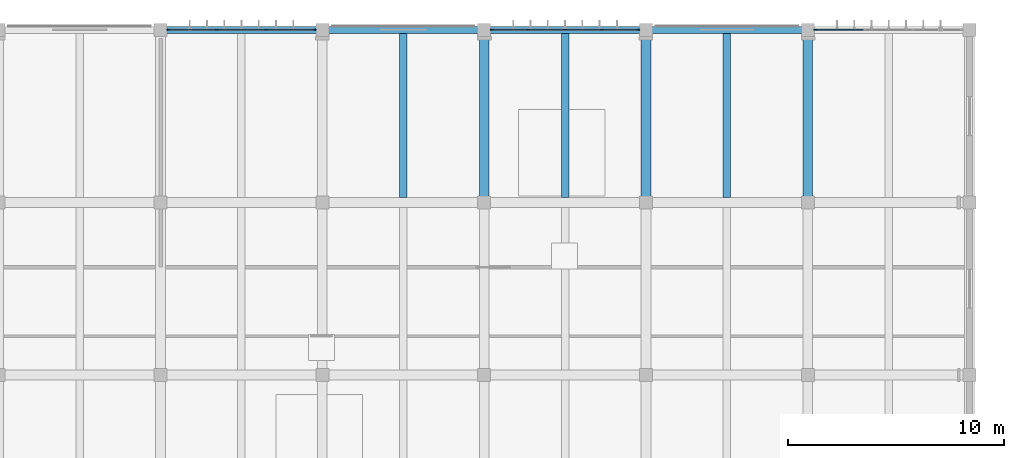
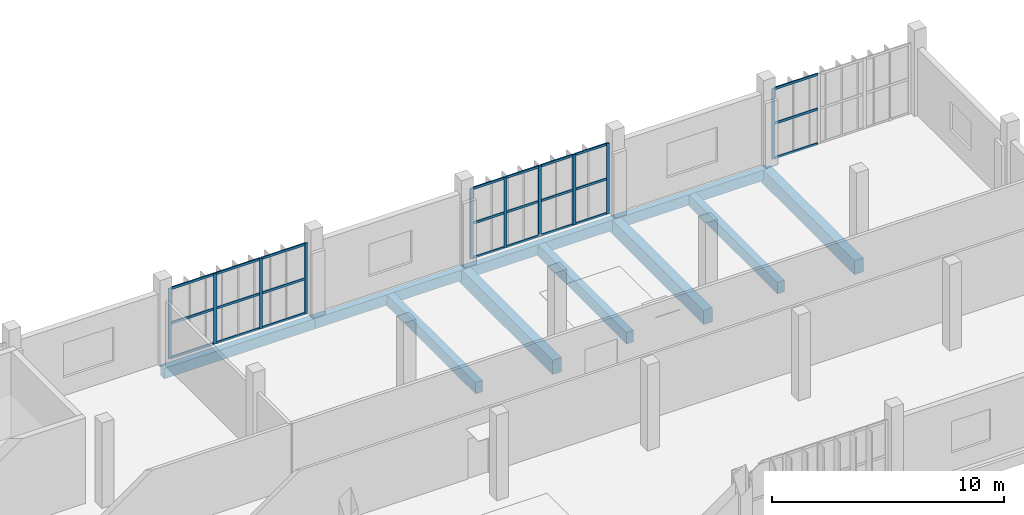
# One storey, part 26 of 81: 34 members, 10 beams, 3 elements without a shape of their own.
"""IFC4 building model written with IfcOpenShell, lengths in metres."""

from ifc_helpers import new_model, si_unit, direction, frame, origin, origin_2d, place, context, subcontext, project, spatial, rectangle, extrude, material, material_profile, profile_set, type_object, element, aggregate, save


model = new_model("IFC4")

# Units and contexts
model_context = context("Model", 3, precision=1e-05, world=origin(), true_north=direction((0.0, 1.0)))
body_context = subcontext(model_context, "Body", "Model", "MODEL_VIEW")
ifc_project = project(units=[si_unit("LENGTHUNIT", "METRE"), si_unit("AREAUNIT", "SQUARE_METRE"), si_unit("VOLUMEUNIT", "CUBIC_METRE"), si_unit("PLANEANGLEUNIT", "RADIAN"), si_unit("MASSUNIT", "GRAM", prefix="KILO")], contexts=[model_context])

# Site, building, storey
site_placement = place(None, origin())
site = spatial("IfcSite", under=ifc_project, at=site_placement, CompositionType="ELEMENT")
building_placement = place(site_placement, origin())
building = spatial("IfcBuilding", under=site, at=building_placement, Name="Vourika Railside Aquatics Centre", CompositionType="ELEMENT")
storey_placement = place(building_placement, frame((0.0, 0.0, 4.800048828125)))
storey = spatial("IfcBuildingStorey", under=building, at=storey_placement, Name="L01", CompositionType="ELEMENT", Elevation=4.800048828125)

# Beams
ifc_material_1 = material(Name="Concrete C35/45", Category="concrete")
ifc_material_profile_1 = material_profile(ifc_material_1, rectangle(XDim=0.449951171875, YDim=0.75, at=origin_2d()), Name="RC 450x750")
ifc_profile_set_1 = profile_set([ifc_material_profile_1], Name="Concrete C35/45")
beam_type_1 = type_object("IfcBeamType", Name="BM-GIRD-450x750", PredefinedType="BEAM", material=ifc_profile_set_1)
for number, where, z_axis, x_axis, name in (
    (1, (111.0, 108.0, -0.675048828125), (0.0, 1.0, 0.0), (-1.0, 0.0, 0.0), "Floor Girder GY-L01-252"),
    (2, (118.5, 108.0, -0.675048828125), (0.0, 1.0, 0.0), (-1.0, 0.0, 0.0), "Floor Girder GY-L01-257"),
    (3, (126.0, 108.0, -0.675048828125), (0.0, 1.0, 0.0), (-1.0, 0.0, 0.0), "Floor Girder GY-L01-263"),
):
    element("IfcBeam", number, at=place(storey_placement, frame(where, z_axis=z_axis, x_axis=x_axis)), inside=storey, type_object=beam_type_1, Name=name, PredefinedType="BEAM", context=body_context, shape_type="SweptSolid", body=[
        extrude(rectangle(XDim=0.449951171875, YDim=0.75, at=origin_2d()), origin(), (0.0, 0.0, 1.0), 8.0),
    ])
ifc_material_profile_2 = material_profile(ifc_material_1, rectangle(XDim=0.35009765625, YDim=0.60009765625, at=origin_2d()), Name="RC 350x600")
ifc_profile_set_2 = profile_set([ifc_material_profile_2], Name="Concrete C35/45")
beam_type_2 = type_object("IfcBeamType", Name="BM-SEC-350x600", PredefinedType="JOIST", material=ifc_profile_set_2)
for number, where, z_axis, x_axis, name in (
    (4, (107.25, 108.22509765625, -0.60009765625), (0.0, 1.0, 0.0), (-1.0, 0.0, 0.0), "Secondary Joist JY-L01-386"),
    (5, (114.75, 108.22509765625, -0.60009765625), (0.0, 1.0, 0.0), (-1.0, 0.0, 0.0), "Secondary Joist JY-L01-387"),
    (6, (122.25, 108.22509765625, -0.60009765625), (0.0, 1.0, 0.0), (-1.0, 0.0, 0.0), "Secondary Joist JY-L01-388"),
):
    element("IfcBeam", number, at=place(storey_placement, frame(where, z_axis=z_axis, x_axis=x_axis)), inside=storey, type_object=beam_type_2, Name=name, PredefinedType="JOIST", context=body_context, shape_type="SweptSolid", body=[
        extrude(rectangle(XDim=0.35009765625, YDim=0.60009765625, at=origin_2d()), origin(), (0.0, 0.0, 1.0), 7.614990234375),
    ])
ifc_material_profile_3 = material_profile(ifc_material_1, rectangle(XDim=0.320068359375, YDim=0.550048828125, at=origin_2d()), Name="RC 320x550")
ifc_profile_set_3 = profile_set([ifc_material_profile_3], Name="Concrete C35/45")
beam_type_3 = type_object("IfcBeamType", Name="BM-SPAN-320x550", PredefinedType="SPANDREL", material=ifc_profile_set_3)
for number, where, z_axis, x_axis, name in (
    (7, (96.0, 116.0, -0.574951171875), (1.0, 0.0, 0.0), (0.0, 1.0, 0.0), "Floor Beam GX-L01-164"),
    (8, (103.5, 116.0, -0.574951171875), (1.0, 0.0, 0.0), (0.0, 1.0, 0.0), "Floor Beam GX-L01-165"),
    (9, (111.0, 116.0, -0.574951171875), (1.0, 0.0, 0.0), (0.0, 1.0, 0.0), "Floor Beam GX-L01-166"),
    (10, (118.5, 116.0, -0.574951171875), (1.0, 0.0, 0.0), (0.0, 1.0, 0.0), "Floor Beam GX-L01-167"),
):
    element("IfcBeam", number, at=place(storey_placement, frame(where, z_axis=z_axis, x_axis=x_axis)), inside=storey, type_object=beam_type_3, Name=name, PredefinedType="SPANDREL", context=body_context, shape_type="SweptSolid", body=[
        extrude(rectangle(XDim=0.320068359375, YDim=0.550048828125, at=origin_2d()), origin(), (0.0, 0.0, 1.0), 7.5),
    ])

# Curtain wall, members
ifc_material_2 = material(Name="Anodized thermally broken aluminium", Category="aluminium")
curtain_wall_type = type_object("IfcCurtainWallType", Name="CW-FIT1", PredefinedType="NOTDEFINED", material=ifc_material_2)
curtain_wall_1_placement = place(storey_placement, origin())
curtain_wall_1 = element("IfcCurtainWall", 11, at=curtain_wall_1_placement, inside=storey, type_object=curtain_wall_type, Name="North Boulevard Curtain Wall L01-11", PredefinedType="NOTDEFINED")
ifc_material_3 = material(Name="Anodized aluminium mullion", Category="aluminium")
ifc_material_profile_4 = material_profile(ifc_material_3, rectangle(XDim=0.06201171875, YDim=0.156005859375, at=origin_2d()), Name="ALU-M 62x156")
ifc_profile_set_4 = profile_set([ifc_material_profile_4], Name="Anodized aluminium mullion")
member_type_1 = type_object("IfcMemberType", Name="CWM-FIT1", PredefinedType="MULLION", material=ifc_profile_set_4)
member_1_placement = place(storey_placement, frame((103.138916015625, 116.0, 0.0), z_axis=(0.0, 0.0, 1.0), x_axis=(0.0, -1.0, 0.0)))
member_1 = element("IfcMember", 12, at=member_1_placement, type_object=member_type_1, Name="CW15 mullion 1", PredefinedType="MULLION", context=body_context, shape_type="SweptSolid", body=[
    extrude(rectangle(XDim=0.06201171875, YDim=0.156005859375, at=origin_2d()), origin(), (0.0, 0.0, 1.0), 3.699951171875),
])
member_2_placement = place(storey_placement, frame((100.889892578125, 116.0, 0.0), z_axis=(0.0, 0.0, 1.0), x_axis=(0.0, -1.0, 0.0)))
member_2 = element("IfcMember", 13, at=member_2_placement, type_object=member_type_1, Name="CW15 mullion 2", PredefinedType="MULLION", context=body_context, shape_type="SweptSolid", body=[
    extrude(rectangle(XDim=0.06201171875, YDim=0.156005859375, at=origin_2d()), origin(), (0.0, 0.0, 1.0), 3.699951171875),
])
member_3_placement = place(storey_placement, frame((98.610107421875, 116.0, 0.0), z_axis=(0.0, 0.0, 1.0), x_axis=(0.0, -1.0, 0.0)))
member_3 = element("IfcMember", 14, at=member_3_placement, type_object=member_type_1, Name="CW15 mullion 3", PredefinedType="MULLION", context=body_context, shape_type="SweptSolid", body=[
    extrude(rectangle(XDim=0.06201171875, YDim=0.156005859375, at=origin_2d()), origin(), (0.0, 0.0, 1.0), 3.699951171875),
])
member_4_placement = place(storey_placement, frame((96.361083984375, 116.0, 0.0), z_axis=(0.0, 0.0, 1.0), x_axis=(0.0, -1.0, 0.0)))
member_4 = element("IfcMember", 15, at=member_4_placement, type_object=member_type_1, Name="CW15 mullion 4", PredefinedType="MULLION", context=body_context, shape_type="SweptSolid", body=[
    extrude(rectangle(XDim=0.06201171875, YDim=0.156005859375, at=origin_2d()), origin(), (0.0, 0.0, 1.0), 3.699951171875),
])

curtain_wall_2_placement = place(storey_placement, origin())
curtain_wall_2 = element("IfcCurtainWall", 16, at=curtain_wall_2_placement, inside=storey, type_object=curtain_wall_type, Name="North Boulevard Curtain Wall L01-13", PredefinedType="NOTDEFINED")
member_5_placement = place(storey_placement, frame((118.138916015625, 116.0, 0.0), z_axis=(0.0, 0.0, 1.0), x_axis=(0.0, -1.0, 0.0)))
member_5 = element("IfcMember", 17, at=member_5_placement, type_object=member_type_1, Name="CW15 mullion 1", PredefinedType="MULLION", context=body_context, shape_type="SweptSolid", body=[
    extrude(rectangle(XDim=0.06201171875, YDim=0.156005859375, at=origin_2d()), origin(), (0.0, 0.0, 1.0), 3.699951171875),
])
member_6_placement = place(storey_placement, frame((116.4599609375, 116.0, 0.0), z_axis=(0.0, 0.0, 1.0), x_axis=(0.0, -1.0, 0.0)))
member_6 = element("IfcMember", 18, at=member_6_placement, type_object=member_type_1, Name="CW15 mullion 2", PredefinedType="MULLION", context=body_context, shape_type="SweptSolid", body=[
    extrude(rectangle(XDim=0.06201171875, YDim=0.156005859375, at=origin_2d()), origin(), (0.0, 0.0, 1.0), 3.699951171875),
])
member_7_placement = place(storey_placement, frame((114.75, 116.0, 0.0), z_axis=(0.0, 0.0, 1.0), x_axis=(0.0, -1.0, 0.0)))
member_7 = element("IfcMember", 19, at=member_7_placement, type_object=member_type_1, Name="CW15 mullion 3", PredefinedType="MULLION", context=body_context, shape_type="SweptSolid", body=[
    extrude(rectangle(XDim=0.06201171875, YDim=0.156005859375, at=origin_2d()), origin(), (0.0, 0.0, 1.0), 3.699951171875),
])
member_8_placement = place(storey_placement, frame((113.0400390625, 116.0, 0.0), z_axis=(0.0, 0.0, 1.0), x_axis=(0.0, -1.0, 0.0)))
member_8 = element("IfcMember", 20, at=member_8_placement, type_object=member_type_1, Name="CW15 mullion 4", PredefinedType="MULLION", context=body_context, shape_type="SweptSolid", body=[
    extrude(rectangle(XDim=0.06201171875, YDim=0.156005859375, at=origin_2d()), origin(), (0.0, 0.0, 1.0), 3.699951171875),
])
member_9_placement = place(storey_placement, frame((111.361083984375, 116.0, 0.0), z_axis=(0.0, 0.0, 1.0), x_axis=(0.0, -1.0, 0.0)))
member_9 = element("IfcMember", 21, at=member_9_placement, type_object=member_type_1, Name="CW15 mullion 5", PredefinedType="MULLION", context=body_context, shape_type="SweptSolid", body=[
    extrude(rectangle(XDim=0.06201171875, YDim=0.156005859375, at=origin_2d()), origin(), (0.0, 0.0, 1.0), 3.699951171875),
])

# Curtain wall, member
curtain_wall_3_placement = place(storey_placement, origin())
curtain_wall_3 = element("IfcCurtainWall", 22, at=curtain_wall_3_placement, inside=storey, type_object=curtain_wall_type, Name="North Boulevard Curtain Wall L01-15", PredefinedType="NOTDEFINED")
member_10_placement = place(storey_placement, frame((126.361083984375, 116.0, 0.0), z_axis=(0.0, 0.0, 1.0), x_axis=(0.0, -1.0, 0.0)))
member_10 = element("IfcMember", 23, at=member_10_placement, type_object=member_type_1, Name="CW15 mullion 4", PredefinedType="MULLION", context=body_context, shape_type="SweptSolid", body=[
    extrude(rectangle(XDim=0.06201171875, YDim=0.156005859375, at=origin_2d()), origin(), (0.0, 0.0, 1.0), 3.699951171875),
])

# Member
ifc_material_4 = material(Name="Anodized aluminium transom", Category="aluminium")
ifc_material_profile_5 = material_profile(ifc_material_4, rectangle(XDim=0.06201171875, YDim=0.1220703125, at=origin_2d()), Name="ALU-T 62x122")
ifc_profile_set_5 = profile_set([ifc_material_profile_5], Name="Anodized aluminium transom")
member_type_2 = type_object("IfcMemberType", Name="CWT-FIT1", PredefinedType="USERDEFINED", material=ifc_profile_set_5)
member_11_placement = place(storey_placement, frame((103.10791015625, 116.0, 0.031005859375), z_axis=(-1.0, 0.0, 0.0), x_axis=(0.0, -1.0, 0.0)))
member_11 = element("IfcMember", 24, at=member_11_placement, type_object=member_type_2, Name="CW15 transom 1.1", ObjectType="TRANSOM", PredefinedType="USERDEFINED", context=body_context, shape_type="SweptSolid", body=[
    extrude(rectangle(XDim=0.06201171875, YDim=0.1220703125, at=origin_2d()), origin(), (0.0, 0.0, 1.0), 2.18701171875),
])

member_12_placement = place(storey_placement, frame((103.10791015625, 116.0, 1.849853515625), z_axis=(-1.0, 0.0, 0.0), x_axis=(0.0, -1.0, 0.0)))
member_12 = element("IfcMember", 25, at=member_12_placement, type_object=member_type_2, Name="CW15 transom 1.2", ObjectType="TRANSOM", PredefinedType="USERDEFINED", context=body_context, shape_type="SweptSolid", body=[
    extrude(rectangle(XDim=0.06201171875, YDim=0.1220703125, at=origin_2d()), origin(), (0.0, 0.0, 1.0), 2.18701171875),
])

member_13_placement = place(storey_placement, frame((103.10791015625, 116.0, 3.6689453125), z_axis=(-1.0, 0.0, 0.0), x_axis=(0.0, -1.0, 0.0)))
member_13 = element("IfcMember", 26, at=member_13_placement, type_object=member_type_2, Name="CW15 transom 1.3", ObjectType="TRANSOM", PredefinedType="USERDEFINED", context=body_context, shape_type="SweptSolid", body=[
    extrude(rectangle(XDim=0.06201171875, YDim=0.1220703125, at=origin_2d()), origin(), (0.0, 0.0, 1.0), 2.18701171875),
])

member_14_placement = place(storey_placement, frame((100.85888671875, 116.0, 0.031005859375), z_axis=(-1.0, 0.0, 0.0), x_axis=(0.0, -1.0, 0.0)))
member_14 = element("IfcMember", 27, at=member_14_placement, type_object=member_type_2, Name="CW15 transom 2.1", ObjectType="TRANSOM", PredefinedType="USERDEFINED", context=body_context, shape_type="SweptSolid", body=[
    extrude(rectangle(XDim=0.06201171875, YDim=0.1220703125, at=origin_2d()), origin(), (0.0, 0.0, 1.0), 2.2177734375),
])

member_15_placement = place(storey_placement, frame((100.85888671875, 116.0, 1.849853515625), z_axis=(-1.0, 0.0, 0.0), x_axis=(0.0, -1.0, 0.0)))
member_15 = element("IfcMember", 28, at=member_15_placement, type_object=member_type_2, Name="CW15 transom 2.2", ObjectType="TRANSOM", PredefinedType="USERDEFINED", context=body_context, shape_type="SweptSolid", body=[
    extrude(rectangle(XDim=0.06201171875, YDim=0.1220703125, at=origin_2d()), origin(), (0.0, 0.0, 1.0), 2.2177734375),
])

member_16_placement = place(storey_placement, frame((100.85888671875, 116.0, 3.6689453125), z_axis=(-1.0, 0.0, 0.0), x_axis=(0.0, -1.0, 0.0)))
member_16 = element("IfcMember", 29, at=member_16_placement, type_object=member_type_2, Name="CW15 transom 2.3", ObjectType="TRANSOM", PredefinedType="USERDEFINED", context=body_context, shape_type="SweptSolid", body=[
    extrude(rectangle(XDim=0.06201171875, YDim=0.1220703125, at=origin_2d()), origin(), (0.0, 0.0, 1.0), 2.2177734375),
])

member_17_placement = place(storey_placement, frame((98.5791015625, 116.0, 0.031005859375), z_axis=(-1.0, 0.0, 0.0), x_axis=(0.0, -1.0, 0.0)))
member_17 = element("IfcMember", 30, at=member_17_placement, type_object=member_type_2, Name="CW15 transom 3.1", ObjectType="TRANSOM", PredefinedType="USERDEFINED", context=body_context, shape_type="SweptSolid", body=[
    extrude(rectangle(XDim=0.06201171875, YDim=0.1220703125, at=origin_2d()), origin(), (0.0, 0.0, 1.0), 2.18701171875),
])

member_18_placement = place(storey_placement, frame((98.5791015625, 116.0, 1.849853515625), z_axis=(-1.0, 0.0, 0.0), x_axis=(0.0, -1.0, 0.0)))
member_18 = element("IfcMember", 31, at=member_18_placement, type_object=member_type_2, Name="CW15 transom 3.2", ObjectType="TRANSOM", PredefinedType="USERDEFINED", context=body_context, shape_type="SweptSolid", body=[
    extrude(rectangle(XDim=0.06201171875, YDim=0.1220703125, at=origin_2d()), origin(), (0.0, 0.0, 1.0), 2.18701171875),
])

member_19_placement = place(storey_placement, frame((98.5791015625, 116.0, 3.6689453125), z_axis=(-1.0, 0.0, 0.0), x_axis=(0.0, -1.0, 0.0)))
member_19 = element("IfcMember", 32, at=member_19_placement, type_object=member_type_2, Name="CW15 transom 3.3", ObjectType="TRANSOM", PredefinedType="USERDEFINED", context=body_context, shape_type="SweptSolid", body=[
    extrude(rectangle(XDim=0.06201171875, YDim=0.1220703125, at=origin_2d()), origin(), (0.0, 0.0, 1.0), 2.18701171875),
])

aggregate(curtain_wall_1, [member_1, member_2, member_3, member_4, member_11, member_12, member_13, member_14, member_15, member_16, member_17, member_18, member_19])

member_20_placement = place(storey_placement, frame((118.10791015625, 116.0, 0.031005859375), z_axis=(-1.0, 0.0, 0.0), x_axis=(0.0, -1.0, 0.0)))
member_20 = element("IfcMember", 33, at=member_20_placement, type_object=member_type_2, Name="CW15 transom 1.1", ObjectType="TRANSOM", PredefinedType="USERDEFINED", context=body_context, shape_type="SweptSolid", body=[
    extrude(rectangle(XDim=0.06201171875, YDim=0.1220703125, at=origin_2d()), origin(), (0.0, 0.0, 1.0), 1.616943359375),
])

member_21_placement = place(storey_placement, frame((118.10791015625, 116.0, 1.849853515625), z_axis=(-1.0, 0.0, 0.0), x_axis=(0.0, -1.0, 0.0)))
member_21 = element("IfcMember", 34, at=member_21_placement, type_object=member_type_2, Name="CW15 transom 1.2", ObjectType="TRANSOM", PredefinedType="USERDEFINED", context=body_context, shape_type="SweptSolid", body=[
    extrude(rectangle(XDim=0.06201171875, YDim=0.1220703125, at=origin_2d()), origin(), (0.0, 0.0, 1.0), 1.616943359375),
])

member_22_placement = place(storey_placement, frame((118.10791015625, 116.0, 3.6689453125), z_axis=(-1.0, 0.0, 0.0), x_axis=(0.0, -1.0, 0.0)))
member_22 = element("IfcMember", 35, at=member_22_placement, type_object=member_type_2, Name="CW15 transom 1.3", ObjectType="TRANSOM", PredefinedType="USERDEFINED", context=body_context, shape_type="SweptSolid", body=[
    extrude(rectangle(XDim=0.06201171875, YDim=0.1220703125, at=origin_2d()), origin(), (0.0, 0.0, 1.0), 1.616943359375),
])

member_23_placement = place(storey_placement, frame((116.428955078125, 116.0, 0.031005859375), z_axis=(-1.0, 0.0, 0.0), x_axis=(0.0, -1.0, 0.0)))
member_23 = element("IfcMember", 36, at=member_23_placement, type_object=member_type_2, Name="CW15 transom 2.1", ObjectType="TRANSOM", PredefinedType="USERDEFINED", context=body_context, shape_type="SweptSolid", body=[
    extrude(rectangle(XDim=0.06201171875, YDim=0.1220703125, at=origin_2d()), origin(), (0.0, 0.0, 1.0), 1.64794921875),
])

member_24_placement = place(storey_placement, frame((116.428955078125, 116.0, 1.849853515625), z_axis=(-1.0, 0.0, 0.0), x_axis=(0.0, -1.0, 0.0)))
member_24 = element("IfcMember", 37, at=member_24_placement, type_object=member_type_2, Name="CW15 transom 2.2", ObjectType="TRANSOM", PredefinedType="USERDEFINED", context=body_context, shape_type="SweptSolid", body=[
    extrude(rectangle(XDim=0.06201171875, YDim=0.1220703125, at=origin_2d()), origin(), (0.0, 0.0, 1.0), 1.64794921875),
])

member_25_placement = place(storey_placement, frame((116.428955078125, 116.0, 3.6689453125), z_axis=(-1.0, 0.0, 0.0), x_axis=(0.0, -1.0, 0.0)))
member_25 = element("IfcMember", 38, at=member_25_placement, type_object=member_type_2, Name="CW15 transom 2.3", ObjectType="TRANSOM", PredefinedType="USERDEFINED", context=body_context, shape_type="SweptSolid", body=[
    extrude(rectangle(XDim=0.06201171875, YDim=0.1220703125, at=origin_2d()), origin(), (0.0, 0.0, 1.0), 1.64794921875),
])

member_26_placement = place(storey_placement, frame((114.718994140625, 116.0, 0.031005859375), z_axis=(-1.0, 0.0, 0.0), x_axis=(0.0, -1.0, 0.0)))
member_26 = element("IfcMember", 39, at=member_26_placement, type_object=member_type_2, Name="CW15 transom 3.1", ObjectType="TRANSOM", PredefinedType="USERDEFINED", context=body_context, shape_type="SweptSolid", body=[
    extrude(rectangle(XDim=0.06201171875, YDim=0.1220703125, at=origin_2d()), origin(), (0.0, 0.0, 1.0), 1.64794921875),
])

member_27_placement = place(storey_placement, frame((114.718994140625, 116.0, 1.849853515625), z_axis=(-1.0, 0.0, 0.0), x_axis=(0.0, -1.0, 0.0)))
member_27 = element("IfcMember", 40, at=member_27_placement, type_object=member_type_2, Name="CW15 transom 3.2", ObjectType="TRANSOM", PredefinedType="USERDEFINED", context=body_context, shape_type="SweptSolid", body=[
    extrude(rectangle(XDim=0.06201171875, YDim=0.1220703125, at=origin_2d()), origin(), (0.0, 0.0, 1.0), 1.64794921875),
])

member_28_placement = place(storey_placement, frame((114.718994140625, 116.0, 3.6689453125), z_axis=(-1.0, 0.0, 0.0), x_axis=(0.0, -1.0, 0.0)))
member_28 = element("IfcMember", 41, at=member_28_placement, type_object=member_type_2, Name="CW15 transom 3.3", ObjectType="TRANSOM", PredefinedType="USERDEFINED", context=body_context, shape_type="SweptSolid", body=[
    extrude(rectangle(XDim=0.06201171875, YDim=0.1220703125, at=origin_2d()), origin(), (0.0, 0.0, 1.0), 1.64794921875),
])

member_29_placement = place(storey_placement, frame((113.009033203125, 116.0, 0.031005859375), z_axis=(-1.0, 0.0, 0.0), x_axis=(0.0, -1.0, 0.0)))
member_29 = element("IfcMember", 42, at=member_29_placement, type_object=member_type_2, Name="CW15 transom 4.1", ObjectType="TRANSOM", PredefinedType="USERDEFINED", context=body_context, shape_type="SweptSolid", body=[
    extrude(rectangle(XDim=0.06201171875, YDim=0.1220703125, at=origin_2d()), origin(), (0.0, 0.0, 1.0), 1.616943359375),
])

member_30_placement = place(storey_placement, frame((113.009033203125, 116.0, 1.849853515625), z_axis=(-1.0, 0.0, 0.0), x_axis=(0.0, -1.0, 0.0)))
member_30 = element("IfcMember", 43, at=member_30_placement, type_object=member_type_2, Name="CW15 transom 4.2", ObjectType="TRANSOM", PredefinedType="USERDEFINED", context=body_context, shape_type="SweptSolid", body=[
    extrude(rectangle(XDim=0.06201171875, YDim=0.1220703125, at=origin_2d()), origin(), (0.0, 0.0, 1.0), 1.616943359375),
])

member_31_placement = place(storey_placement, frame((113.009033203125, 116.0, 3.6689453125), z_axis=(-1.0, 0.0, 0.0), x_axis=(0.0, -1.0, 0.0)))
member_31 = element("IfcMember", 44, at=member_31_placement, type_object=member_type_2, Name="CW15 transom 4.3", ObjectType="TRANSOM", PredefinedType="USERDEFINED", context=body_context, shape_type="SweptSolid", body=[
    extrude(rectangle(XDim=0.06201171875, YDim=0.1220703125, at=origin_2d()), origin(), (0.0, 0.0, 1.0), 1.616943359375),
])

aggregate(curtain_wall_2, [member_5, member_6, member_7, member_8, member_9, member_20, member_21, member_22, member_23, member_24, member_25, member_26, member_27, member_28, member_29, member_30, member_31])

member_32_placement = place(storey_placement, frame((128.5791015625, 116.0, 0.031005859375), z_axis=(-1.0, 0.0, 0.0), x_axis=(0.0, -1.0, 0.0)))
member_32 = element("IfcMember", 45, at=member_32_placement, type_object=member_type_2, Name="CW15 transom 3.1", ObjectType="TRANSOM", PredefinedType="USERDEFINED", context=body_context, shape_type="SweptSolid", body=[
    extrude(rectangle(XDim=0.06201171875, YDim=0.1220703125, at=origin_2d()), origin(), (0.0, 0.0, 1.0), 2.18701171875),
])

member_33_placement = place(storey_placement, frame((128.5791015625, 116.0, 1.849853515625), z_axis=(-1.0, 0.0, 0.0), x_axis=(0.0, -1.0, 0.0)))
member_33 = element("IfcMember", 46, at=member_33_placement, type_object=member_type_2, Name="CW15 transom 3.2", ObjectType="TRANSOM", PredefinedType="USERDEFINED", context=body_context, shape_type="SweptSolid", body=[
    extrude(rectangle(XDim=0.06201171875, YDim=0.1220703125, at=origin_2d()), origin(), (0.0, 0.0, 1.0), 2.18701171875),
])

member_34_placement = place(storey_placement, frame((128.5791015625, 116.0, 3.6689453125), z_axis=(-1.0, 0.0, 0.0), x_axis=(0.0, -1.0, 0.0)))
member_34 = element("IfcMember", 47, at=member_34_placement, type_object=member_type_2, Name="CW15 transom 3.3", ObjectType="TRANSOM", PredefinedType="USERDEFINED", context=body_context, shape_type="SweptSolid", body=[
    extrude(rectangle(XDim=0.06201171875, YDim=0.1220703125, at=origin_2d()), origin(), (0.0, 0.0, 1.0), 2.18701171875),
])

aggregate(curtain_wall_3, [member_10, member_32, member_33, member_34])

save(model, "model.ifc")
